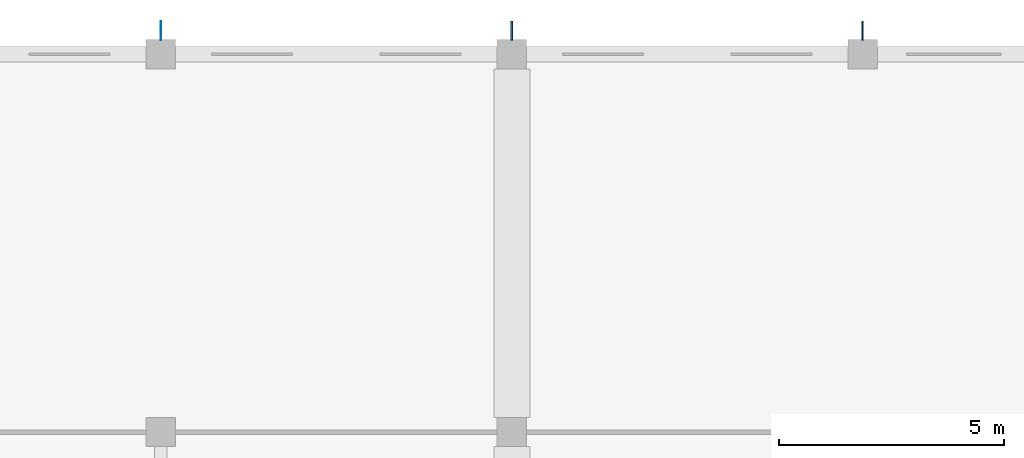
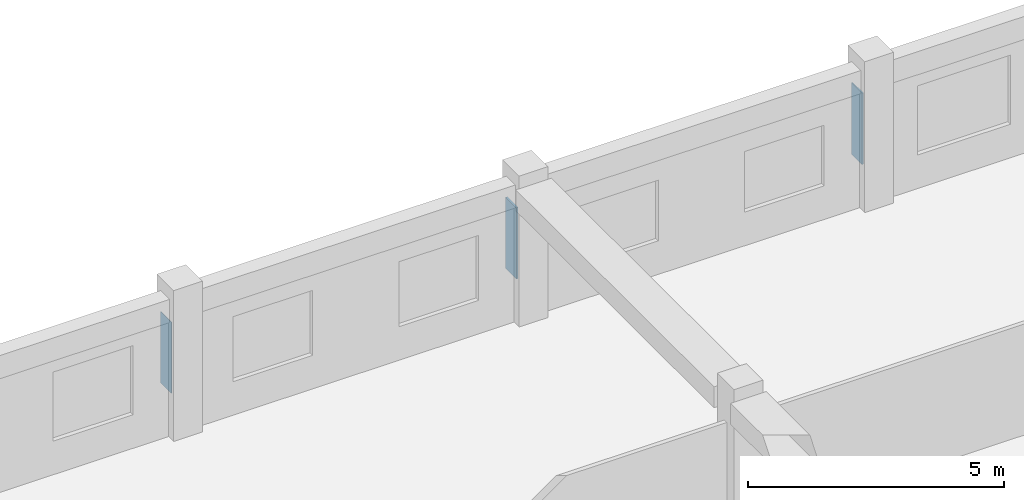
# One storey, part 33 of 49: 3 plates.
"""IFC4 building model written with IfcOpenShell, lengths in metres."""

from ifc_helpers import new_model, si_unit, direction, frame, origin, origin_2d, place, context, subcontext, project, spatial, rectangle, extrude, material, layer, layer_set, type_object, element, save


model = new_model("IFC4")

# Units and contexts
model_context = context("Model", 3, precision=1e-05, world=origin(), true_north=direction((0.0, 1.0)))
body_context = subcontext(model_context, "Body", "Model", "MODEL_VIEW")
ifc_project = project(units=[si_unit("LENGTHUNIT", "METRE"), si_unit("AREAUNIT", "SQUARE_METRE"), si_unit("VOLUMEUNIT", "CUBIC_METRE"), si_unit("PLANEANGLEUNIT", "RADIAN"), si_unit("MASSUNIT", "GRAM", prefix="KILO"), si_unit("THERMODYNAMICTEMPERATUREUNIT", "KELVIN"), si_unit("POWERUNIT", "WATT")], contexts=[model_context])

# Site, building, storey
site_placement = place(None, origin())
site = spatial("IfcSite", under=ifc_project, at=site_placement, CompositionType="ELEMENT")
building_placement = place(site_placement, origin())
building = spatial("IfcBuilding", under=site, at=building_placement, Name="Srebrne Nadtorze General Hospital", CompositionType="ELEMENT")
storey_placement = place(building_placement, frame((0.0, 0.0, 26.10009765625)))
storey = spatial("IfcBuildingStorey", under=building, at=storey_placement, Name="L06", CompositionType="ELEMENT", Elevation=26.10009765625)

# Plates
ifc_material_1 = material(Name="Steel S355J2", Category="steel")
ifc_layer_1 = layer(ifc_material_1, 0.011962890625)
ifc_layer_set_1 = layer_set([ifc_layer_1], Name="Steel S355J2")
plate_type_1 = type_object("IfcPlateType", Name="Steel bearing plate 12", PredefinedType="SHEET", material=ifc_layer_set_1)
plate_1_placement = place(storey_placement, frame((124.800048828125, 92.925048828125, 0.64990234375), z_axis=(0.0, 0.0, 1.0), x_axis=(1.0, 0.0, 0.0)))
element("IfcPlate", 1, at=plate_1_placement, inside=storey, type_object=plate_type_1, Name="Steel connection gusset plate 25", PredefinedType="SHEET", context=body_context, shape_type="SweptSolid", body=[
    extrude(rectangle(XDim=0.011962890625, YDim=0.419921875, at=origin_2d()), origin(), (0.0, 0.0, 1.0), 1.699951171875),
])
ifc_material_2 = material(Name="Steel S355J2", Category="steel")
ifc_layer_2 = layer(ifc_material_2, 0.031982421875)
ifc_layer_set_2 = layer_set([ifc_layer_2], Name="Steel S355J2")
plate_type_2 = type_object("IfcPlateType", Name="Steel gusset plate 32", PredefinedType="SHEET", material=ifc_layer_set_2)
plate_2_placement = place(storey_placement, frame((140.39990234375, 92.925048828125, 0.64990234375), z_axis=(0.0, 0.0, 1.0), x_axis=(1.0, 0.0, 0.0)))
element("IfcPlate", 2, at=plate_2_placement, inside=storey, type_object=plate_type_2, Name="Steel connection gusset plate 27", PredefinedType="SHEET", context=body_context, shape_type="SweptSolid", body=[
    extrude(rectangle(XDim=0.031982421875, YDim=0.419921875, at=origin_2d()), origin(), (0.0, 0.0, 1.0), 1.699951171875),
])
ifc_material_3 = material(Name="Steel S355J2", Category="steel")
ifc_layer_3 = layer(ifc_material_3, 0.0400390625)
ifc_layer_set_3 = layer_set([ifc_layer_3], Name="Steel S355J2")
plate_type_3 = type_object("IfcPlateType", Name="Steel gusset plate 40", PredefinedType="SHEET", material=ifc_layer_set_3)
plate_3_placement = place(storey_placement, frame((132.60009765625, 92.925048828125, 0.64990234375), z_axis=(0.0, 0.0, 1.0), x_axis=(1.0, 0.0, 0.0)))
element("IfcPlate", 3, at=plate_3_placement, inside=storey, type_object=plate_type_3, Name="Steel connection gusset plate 26", PredefinedType="SHEET", context=body_context, shape_type="SweptSolid", body=[
    extrude(rectangle(XDim=0.0400390625, YDim=0.419921875, at=origin_2d()), origin(), (0.0, 0.0, 1.0), 1.699951171875),
])

save(model, "model.ifc")
